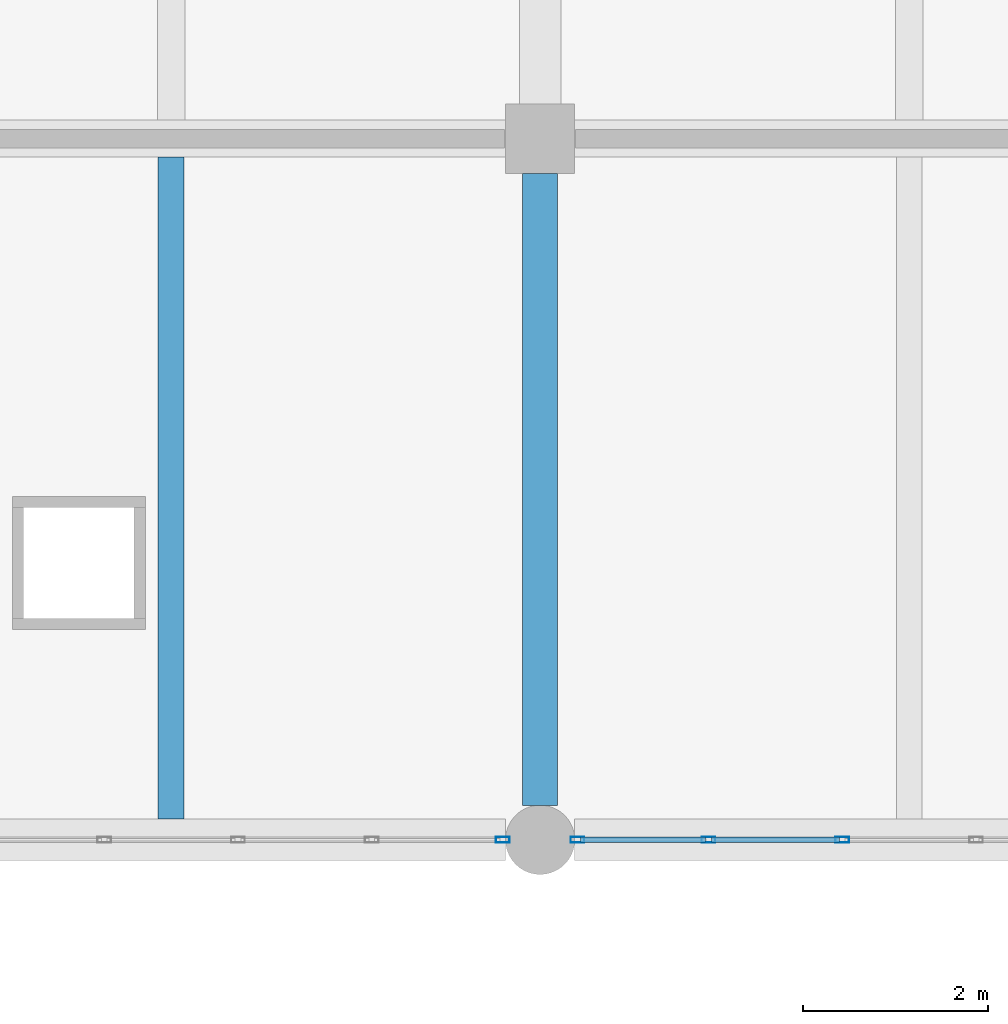
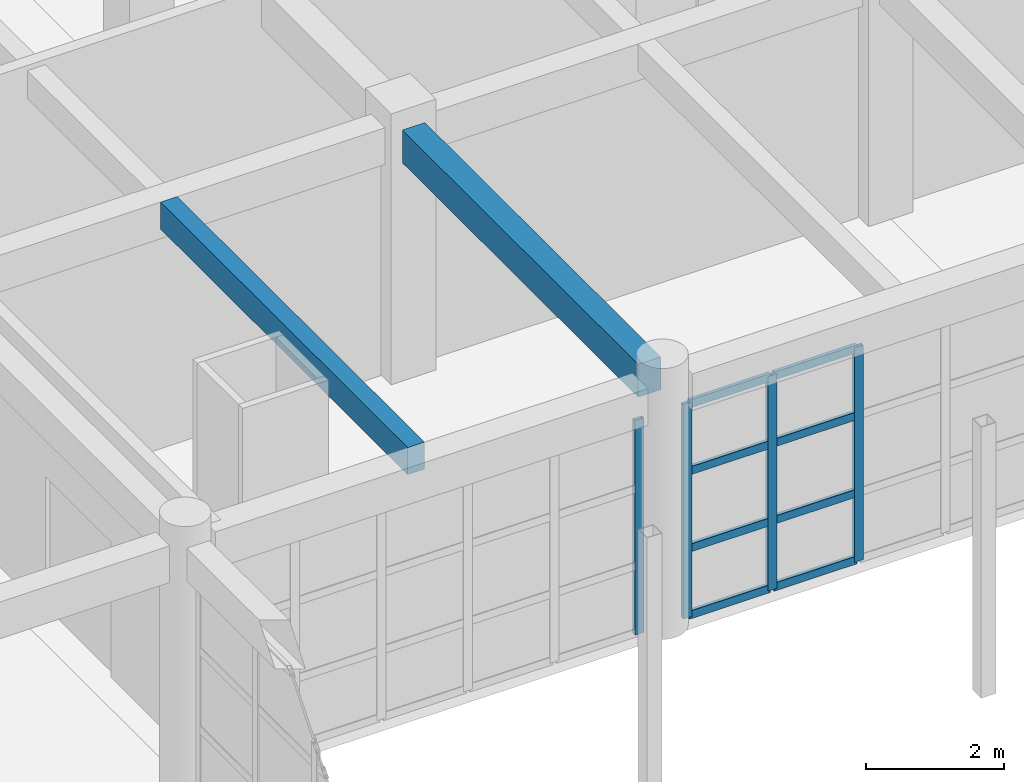
# One storey, part 48 of 101: 12 members, 2 beams, 2 elements without a shape of their own.
"""IFC4 building model written with IfcOpenShell, lengths in metres."""

from ifc_helpers import new_model, si_unit, direction, frame, origin, origin_2d, place, context, subcontext, project, spatial, rectangle, hollow_rectangle, extrude, material, material_profile, profile_set, type_object, element, aggregate, save


model = new_model("IFC4")

# Units and contexts
model_context = context("Model", 3, precision=1e-05, world=origin(), true_north=direction((0.0, 1.0)))
body_context = subcontext(model_context, "Body", "Model", "MODEL_VIEW")
ifc_project = project(units=[si_unit("LENGTHUNIT", "METRE"), si_unit("AREAUNIT", "SQUARE_METRE"), si_unit("VOLUMEUNIT", "CUBIC_METRE"), si_unit("PLANEANGLEUNIT", "RADIAN"), si_unit("MASSUNIT", "GRAM", prefix="KILO")], contexts=[model_context])

# Site, building, storey
site_placement = place(None, origin())
site = spatial("IfcSite", under=ifc_project, at=site_placement, CompositionType="ELEMENT")
building_placement = place(site_placement, origin())
building = spatial("IfcBuilding", under=site, at=building_placement, Name="Zantavel Square City Hall", CompositionType="ELEMENT")
storey_placement = place(building_placement, frame((0.0, 0.0, 5.39990234375)))
storey = spatial("IfcBuildingStorey", under=building, at=storey_placement, Name="L02", CompositionType="ELEMENT", Elevation=5.39990234375)

# Beam
ifc_material_1 = material(Name="Concrete C35/45", Category="concrete")
ifc_material_profile_1 = material_profile(ifc_material_1, rectangle(XDim=0.3798828125, YDim=0.580078125, at=origin_2d()), Name="RC 380x580")
ifc_profile_set_1 = profile_set([ifc_material_profile_1], Name="Concrete C35/45")
beam_type_1 = type_object("IfcBeamType", Name="Annex Secondary Beam RC 380x580 C35/45", PredefinedType="BEAM", material=ifc_profile_set_1)
beam_1_placement = place(storey_placement, frame((128.0, 68.77490234375, 4.16015625), z_axis=(0.0, 1.0, 0.0), x_axis=(-1.0, 0.0, 0.0)))
element("IfcBeam", 1, at=beam_1_placement, inside=storey, type_object=beam_type_1, Name="L02 Beam BMY-L02-1280-0684", PredefinedType="BEAM", context=body_context, shape_type="SweptSolid", body=[
    extrude(rectangle(XDim=0.3798828125, YDim=0.580078125, at=origin_2d()), origin(), (0.0, 0.0, 1.0), 6.85009765625),
])

# Curtain wall, members
ifc_material_2 = material(Name="Anodised aluminium 6063-T6", Category="aluminium")
curtain_wall_type = type_object("IfcCurtainWallType", Name="Curtain Wall CRT 7250x3800", PredefinedType="USERDEFINED", material=ifc_material_2)
curtain_wall_1_placement = place(storey_placement, origin())
curtain_wall_1 = element("IfcCurtainWall", 2, at=curtain_wall_1_placement, inside=storey, type_object=curtain_wall_type, Name="L02 Glazed Curtain Wall CW-L02-061", ObjectType="GLAZED CURTAIN WALL", PredefinedType="USERDEFINED")
ifc_material_profile_2 = material_profile(ifc_material_2, hollow_rectangle(XDim=0.06494140625, YDim=0.14990234375, WallThickness=0.00390625, at=origin_2d()), Name="ALU 65x150x4")
ifc_profile_set_2 = profile_set([ifc_material_profile_2], Name="Anodised aluminium 6063-T6")
member_type_1 = type_object("IfcMemberType", Name="CW Mullion ALU 65x150x4", PredefinedType="MULLION", material=ifc_profile_set_2)
member_1_placement = place(storey_placement, frame((131.27490234375, 68.39990234375, 0.0), z_axis=(0.0, 0.0, 1.0), x_axis=(0.0, -1.0, 0.0)))
member_1 = element("IfcMember", 3, at=member_1_placement, type_object=member_type_1, Name="CW-061 mullion 4", PredefinedType="MULLION", context=body_context, shape_type="SweptSolid", body=[
    extrude(hollow_rectangle(XDim=0.06494140625, YDim=0.14990234375, WallThickness=0.00390625, at=origin_2d()), origin(), (0.0, 0.0, 1.0), 3.800048828125),
])
member_2_placement = place(storey_placement, frame((129.824951171875, 68.39990234375, 0.0), z_axis=(0.0, 0.0, 1.0), x_axis=(0.0, -1.0, 0.0)))
member_2 = element("IfcMember", 4, at=member_2_placement, type_object=member_type_1, Name="CW-061 mullion 5", PredefinedType="MULLION", context=body_context, shape_type="SweptSolid", body=[
    extrude(hollow_rectangle(XDim=0.06494140625, YDim=0.14990234375, WallThickness=0.00390625, at=origin_2d()), origin(), (0.0, 0.0, 1.0), 3.800048828125),
])
member_3_placement = place(storey_placement, frame((128.405029296875, 68.39990234375, 0.0), z_axis=(0.0, 0.0, 1.0), x_axis=(0.0, -1.0, 0.0)))
member_3 = element("IfcMember", 5, at=member_3_placement, type_object=member_type_1, Name="CW-061 mullion 6", PredefinedType="MULLION", context=body_context, shape_type="SweptSolid", body=[
    extrude(hollow_rectangle(XDim=0.06494140625, YDim=0.14990234375, WallThickness=0.00390625, at=origin_2d()), origin(), (0.0, 0.0, 1.0), 3.800048828125),
])

# Curtain wall, member
curtain_wall_2_placement = place(storey_placement, origin())
curtain_wall_2 = element("IfcCurtainWall", 6, at=curtain_wall_2_placement, inside=storey, type_object=curtain_wall_type, Name="L02 Glazed Curtain Wall CW-L02-062", ObjectType="GLAZED CURTAIN WALL", PredefinedType="USERDEFINED")
member_4_placement = place(storey_placement, frame((127.594970703125, 68.39990234375, 0.0), z_axis=(0.0, 0.0, 1.0), x_axis=(0.0, -1.0, 0.0)))
member_4 = element("IfcMember", 7, at=member_4_placement, type_object=member_type_1, Name="CW-062 mullion 1", PredefinedType="MULLION", context=body_context, shape_type="SweptSolid", body=[
    extrude(hollow_rectangle(XDim=0.06494140625, YDim=0.14990234375, WallThickness=0.00390625, at=origin_2d()), origin(), (0.0, 0.0, 1.0), 3.800048828125),
])
aggregate(curtain_wall_2, [member_4])

# Member
ifc_material_profile_3 = material_profile(ifc_material_2, hollow_rectangle(XDim=0.06005859375, YDim=0.139892578125, WallThickness=0.00390625, at=origin_2d()), Name="ALU 60x140x4")
ifc_profile_set_3 = profile_set([ifc_material_profile_3], Name="Anodised aluminium 6063-T6")
member_type_2 = type_object("IfcMemberType", Name="CW Transom ALU 60x140x4", PredefinedType="USERDEFINED", material=ifc_profile_set_3)
member_5_placement = place(storey_placement, frame((131.2451171875, 68.39990234375, 0.030029296875), z_axis=(-1.0, 0.0, 0.0), x_axis=(0.0, -1.0, 0.0)))
member_5 = element("IfcMember", 8, at=member_5_placement, type_object=member_type_2, Name="CW-061 transom 4.1", ObjectType="TRANSOM", PredefinedType="USERDEFINED", context=body_context, shape_type="SweptSolid", body=[
    extrude(hollow_rectangle(XDim=0.06005859375, YDim=0.139892578125, WallThickness=0.00390625, at=origin_2d()), origin(), (0.0, 0.0, 1.0), 1.39013671875),
])

member_6_placement = place(storey_placement, frame((131.2451171875, 68.39990234375, 1.216064453125), z_axis=(-1.0, 0.0, 0.0), x_axis=(0.0, -1.0, 0.0)))
member_6 = element("IfcMember", 9, at=member_6_placement, type_object=member_type_2, Name="CW-061 transom 4.2", ObjectType="TRANSOM", PredefinedType="USERDEFINED", context=body_context, shape_type="SweptSolid", body=[
    extrude(hollow_rectangle(XDim=0.06005859375, YDim=0.139892578125, WallThickness=0.00390625, at=origin_2d()), origin(), (0.0, 0.0, 1.0), 1.39013671875),
])

member_7_placement = place(storey_placement, frame((131.2451171875, 68.39990234375, 2.583984375), z_axis=(-1.0, 0.0, 0.0), x_axis=(0.0, -1.0, 0.0)))
member_7 = element("IfcMember", 10, at=member_7_placement, type_object=member_type_2, Name="CW-061 transom 4.3", ObjectType="TRANSOM", PredefinedType="USERDEFINED", context=body_context, shape_type="SweptSolid", body=[
    extrude(hollow_rectangle(XDim=0.06005859375, YDim=0.139892578125, WallThickness=0.00390625, at=origin_2d()), origin(), (0.0, 0.0, 1.0), 1.39013671875),
])

member_8_placement = place(storey_placement, frame((131.2451171875, 68.39990234375, 3.77001953125), z_axis=(-1.0, 0.0, 0.0), x_axis=(0.0, -1.0, 0.0)))
member_8 = element("IfcMember", 11, at=member_8_placement, type_object=member_type_2, Name="CW-061 transom 4.4", ObjectType="TRANSOM", PredefinedType="USERDEFINED", context=body_context, shape_type="SweptSolid", body=[
    extrude(hollow_rectangle(XDim=0.06005859375, YDim=0.139892578125, WallThickness=0.00390625, at=origin_2d()), origin(), (0.0, 0.0, 1.0), 1.39013671875),
])

member_9_placement = place(storey_placement, frame((129.794921875, 68.39990234375, 0.030029296875), z_axis=(-1.0, 0.0, 0.0), x_axis=(0.0, -1.0, 0.0)))
member_9 = element("IfcMember", 12, at=member_9_placement, type_object=member_type_2, Name="CW-061 transom 5.1", ObjectType="TRANSOM", PredefinedType="USERDEFINED", context=body_context, shape_type="SweptSolid", body=[
    extrude(hollow_rectangle(XDim=0.06005859375, YDim=0.139892578125, WallThickness=0.00390625, at=origin_2d()), origin(), (0.0, 0.0, 1.0), 1.35986328125),
])

member_10_placement = place(storey_placement, frame((129.794921875, 68.39990234375, 1.216064453125), z_axis=(-1.0, 0.0, 0.0), x_axis=(0.0, -1.0, 0.0)))
member_10 = element("IfcMember", 13, at=member_10_placement, type_object=member_type_2, Name="CW-061 transom 5.2", ObjectType="TRANSOM", PredefinedType="USERDEFINED", context=body_context, shape_type="SweptSolid", body=[
    extrude(hollow_rectangle(XDim=0.06005859375, YDim=0.139892578125, WallThickness=0.00390625, at=origin_2d()), origin(), (0.0, 0.0, 1.0), 1.35986328125),
])

member_11_placement = place(storey_placement, frame((129.794921875, 68.39990234375, 2.583984375), z_axis=(-1.0, 0.0, 0.0), x_axis=(0.0, -1.0, 0.0)))
member_11 = element("IfcMember", 14, at=member_11_placement, type_object=member_type_2, Name="CW-061 transom 5.3", ObjectType="TRANSOM", PredefinedType="USERDEFINED", context=body_context, shape_type="SweptSolid", body=[
    extrude(hollow_rectangle(XDim=0.06005859375, YDim=0.139892578125, WallThickness=0.00390625, at=origin_2d()), origin(), (0.0, 0.0, 1.0), 1.35986328125),
])

member_12_placement = place(storey_placement, frame((129.794921875, 68.39990234375, 3.77001953125), z_axis=(-1.0, 0.0, 0.0), x_axis=(0.0, -1.0, 0.0)))
member_12 = element("IfcMember", 15, at=member_12_placement, type_object=member_type_2, Name="CW-061 transom 5.4", ObjectType="TRANSOM", PredefinedType="USERDEFINED", context=body_context, shape_type="SweptSolid", body=[
    extrude(hollow_rectangle(XDim=0.06005859375, YDim=0.139892578125, WallThickness=0.00390625, at=origin_2d()), origin(), (0.0, 0.0, 1.0), 1.35986328125),
])

aggregate(curtain_wall_1, [member_1, member_2, member_3, member_5, member_6, member_7, member_8, member_9, member_10, member_11, member_12])

# Beam
ifc_material_profile_4 = material_profile(ifc_material_1, rectangle(XDim=0.280029296875, YDim=0.47998046875, at=origin_2d()), Name="RC 280x480")
ifc_profile_set_4 = profile_set([ifc_material_profile_4], Name="Concrete C35/45")
beam_type_2 = type_object("IfcBeamType", Name="Terrace Deck Joist RC 280x480 C35/45", PredefinedType="JOIST", material=ifc_profile_set_4)
beam_2_placement = place(storey_placement, frame((124.0, 68.625, 4.210205078125), z_axis=(0.0, 1.0, 0.0), x_axis=(-1.0, 0.0, 0.0)))
element("IfcBeam", 16, at=beam_2_placement, inside=storey, type_object=beam_type_2, Name="L02 Floor Joist JST-L02-1240-0684", PredefinedType="JOIST", context=body_context, shape_type="SweptSolid", body=[
    extrude(rectangle(XDim=0.280029296875, YDim=0.47998046875, at=origin_2d()), origin(), (0.0, 0.0, 1.0), 7.175048828125),
])

save(model, "model.ifc")
